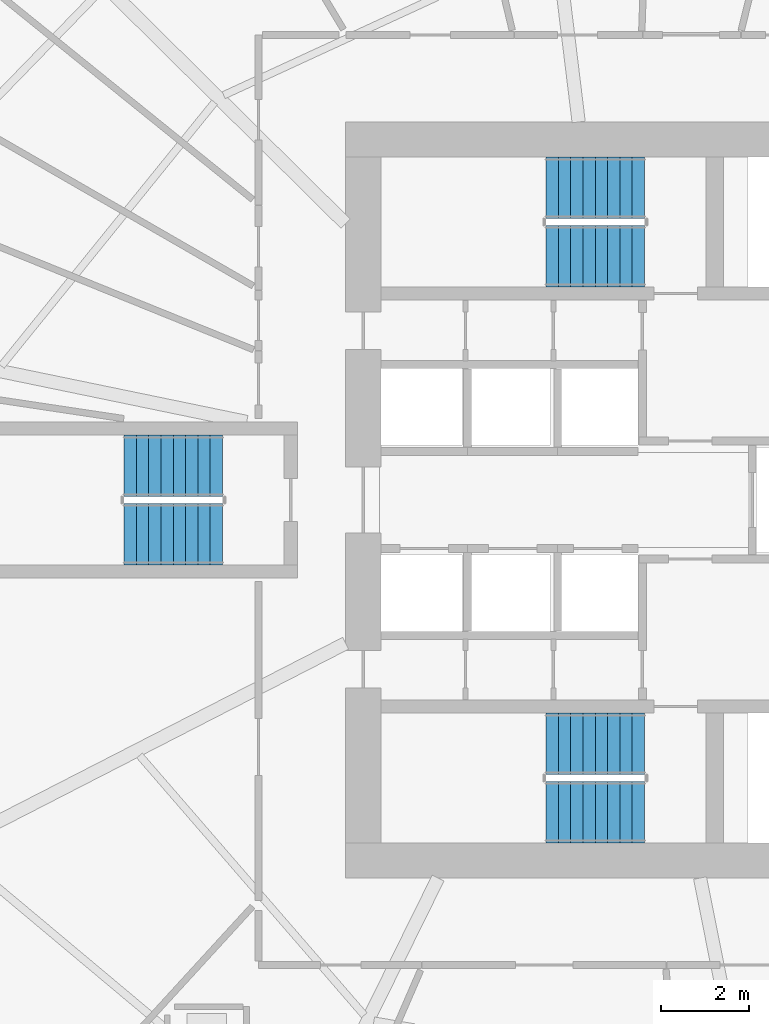
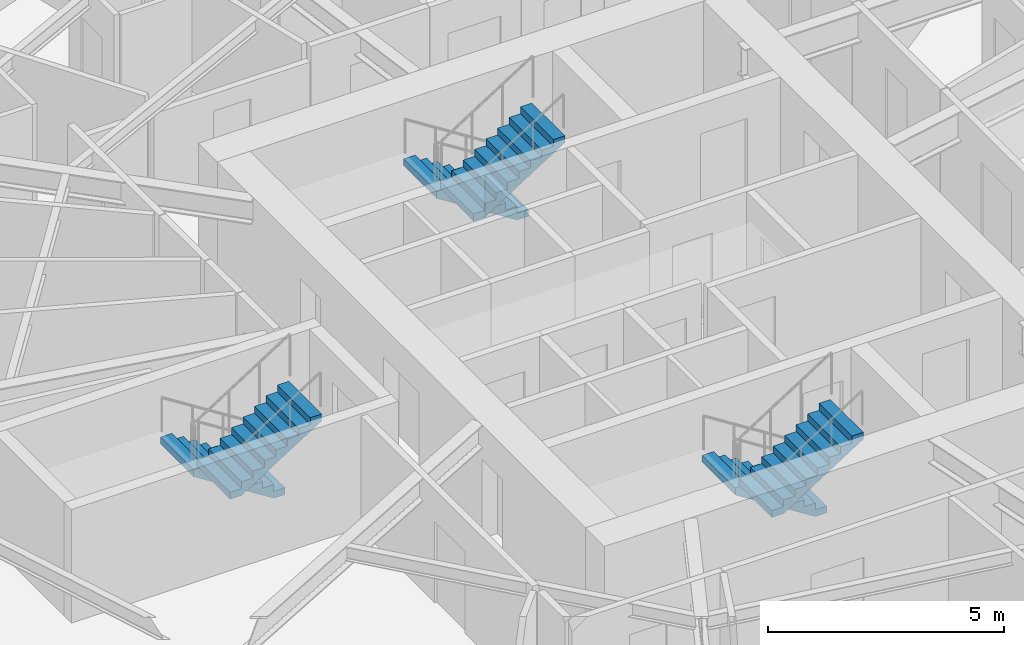
# One storey, part 11 of 16: 6 stair flights, 3 elements without a shape of their own.
"""IFC4 building model written with IfcOpenShell, lengths in metres."""

from ifc_helpers import new_model, si_unit, direction, frame, origin, place, context, subcontext, project, spatial, polyline, outline, extrude, source, transform, mapped, material, type_object, element, aggregate, save


model = new_model("IFC4")

# Units and contexts
model_context = context("Model", 3, precision=1e-05, world=origin(), true_north=direction((0.0, 1.0)))
body_context = subcontext(model_context, "Body", "Model", "MODEL_VIEW")
ifc_project = project(units=[si_unit("LENGTHUNIT", "METRE"), si_unit("AREAUNIT", "SQUARE_METRE"), si_unit("VOLUMEUNIT", "CUBIC_METRE"), si_unit("PLANEANGLEUNIT", "RADIAN"), si_unit("MASSUNIT", "GRAM", prefix="KILO")], contexts=[model_context])

# Site, building, storey
site_placement = place(None, origin())
site = spatial("IfcSite", under=ifc_project, at=site_placement, CompositionType="ELEMENT")
building_placement = place(site_placement, origin())
building = spatial("IfcBuilding", under=site, at=building_placement, Name="Qafzar Sky-Pleat Residences", CompositionType="ELEMENT")
storey_placement = place(building_placement, frame((0.0, 0.0, 30.199951171875)))
storey = spatial("IfcBuildingStorey", under=building, at=storey_placement, Name="L08", CompositionType="ELEMENT", Elevation=30.199951171875)

# Stair, stair flights
ifc_material = material(Name="Concrete C40/50", Category="concrete")
stair_type = type_object("IfcStairType", Name="STAIR-H320", PredefinedType="HALF_TURN_STAIR", material=ifc_material)
stair_1_placement = place(storey_placement, origin())
stair_1 = element("IfcStair", 1, at=stair_1_placement, inside=storey, type_object=stair_type, Name="L08 Protected Exit Stair ST1", PredefinedType="HALF_TURN_STAIR")
stair_flight_type = type_object("IfcStairFlightType", Name="FLIGHT-H320", PredefinedType="STRAIGHT", material=ifc_material)
shared_shape = source(origin(), body_context, "Body", "SweptSolid", [
    extrude(outline(polyline([(0.0, 0.0), (0.0, 0.177734375), (0.280029296875, 0.177734375), (0.280029296875, 0.35546875), (0.56005859375, 0.35546875), (0.56005859375, 0.533447265625), (0.840087890625, 0.533447265625), (0.840087890625, 0.711181640625), (1.1201171875, 0.711181640625), (1.1201171875, 0.888916015625), (1.39990234375, 0.888916015625), (1.39990234375, 1.066650390625), (1.679931640625, 1.066650390625), (1.679931640625, 1.244384765625), (1.9599609375, 1.244384765625), (1.9599609375, 1.422119140625), (2.239990234375, 1.422119140625), (2.239990234375, 1.60009765625), (2.239990234375, 1.24462890625), (0.27978515625, 0.0), (0.0, 0.0)])), frame((0.0, 0.699951171875, 0.0), z_axis=(0.0, -1.0, 0.0), x_axis=(1.0, 0.0, 0.0)), (0.0, 0.0, 1.0), 1.39990234375),
])
stair_flight_1_placement = place(storey_placement, frame((30.800048828125, 20.449951171875, 0.0), z_axis=(0.0, 0.0, 1.0), x_axis=(-1.0, 0.0, 0.0)))
stair_flight_1 = element("IfcStairFlight", 2, at=stair_flight_1_placement, type_object=stair_flight_type, Name="ST1 flight 1", NumberOfRisers=9, NumberOfTreads=8, PredefinedType="STRAIGHT", RiserHeight=0.177777778, TreadLength=0.28, context=body_context, shape_type="MappedRepresentation", body=[
    mapped(shared_shape, transform((0.0, 0.0, 0.0), x_axis=(1.0, 0.0, 0.0), y_axis=(0.0, 1.0, 0.0), z_axis=(0.0, 0.0, 1.0), scale=1.0)),
])
stair_flight_2_placement = place(storey_placement, frame((28.56005859375, 18.89990234375, 1.60009765625), z_axis=(0.0, 0.0, 1.0), x_axis=(1.0, 0.0, 0.0)))
stair_flight_2 = element("IfcStairFlight", 3, at=stair_flight_2_placement, type_object=stair_flight_type, Name="ST1 flight 2", NumberOfRisers=9, NumberOfTreads=8, PredefinedType="STRAIGHT", RiserHeight=0.177777778, TreadLength=0.28, context=body_context, shape_type="MappedRepresentation", body=[
    mapped(shared_shape, transform((0.0, 0.0, 0.0), x_axis=(1.0, 0.0, 0.0), y_axis=(0.0, 1.0, 0.0), z_axis=(0.0, 0.0, 1.0), scale=1.0)),
])
aggregate(stair_1, [stair_flight_1, stair_flight_2])

stair_2_placement = place(storey_placement, origin())
stair_2 = element("IfcStair", 4, at=stair_2_placement, inside=storey, type_object=stair_type, Name="L08 Protected Exit Stair ST2", PredefinedType="HALF_TURN_STAIR")
stair_flight_3_placement = place(storey_placement, frame((30.800048828125, 33.10009765625, 0.0), z_axis=(0.0, 0.0, 1.0), x_axis=(-1.0, 0.0, 0.0)))
stair_flight_3 = element("IfcStairFlight", 5, at=stair_flight_3_placement, type_object=stair_flight_type, Name="ST2 flight 1", NumberOfRisers=9, NumberOfTreads=8, PredefinedType="STRAIGHT", RiserHeight=0.177777778, TreadLength=0.28, context=body_context, shape_type="MappedRepresentation", body=[
    mapped(shared_shape, transform((0.0, 0.0, 0.0), x_axis=(1.0, 0.0, 0.0), y_axis=(0.0, 1.0, 0.0), z_axis=(0.0, 0.0, 1.0), scale=1.0)),
])
stair_flight_4_placement = place(storey_placement, frame((28.56005859375, 31.550048828125, 1.60009765625), z_axis=(0.0, 0.0, 1.0), x_axis=(1.0, 0.0, 0.0)))
stair_flight_4 = element("IfcStairFlight", 6, at=stair_flight_4_placement, type_object=stair_flight_type, Name="ST2 flight 2", NumberOfRisers=9, NumberOfTreads=8, PredefinedType="STRAIGHT", RiserHeight=0.177777778, TreadLength=0.28, context=body_context, shape_type="MappedRepresentation", body=[
    mapped(shared_shape, transform((0.0, 0.0, 0.0), x_axis=(1.0, 0.0, 0.0), y_axis=(0.0, 1.0, 0.0), z_axis=(0.0, 0.0, 1.0), scale=1.0)),
])
aggregate(stair_2, [stair_flight_3, stair_flight_4])

stair_3_placement = place(storey_placement, origin())
stair_3 = element("IfcStair", 7, at=stair_3_placement, inside=storey, type_object=stair_type, Name="L08 Protected Exit Stair ST3", PredefinedType="HALF_TURN_STAIR")
stair_flight_5_placement = place(storey_placement, frame((21.199951171875, 26.77490234375, 0.0), z_axis=(0.0, 0.0, 1.0), x_axis=(-1.0, 0.0, 0.0)))
stair_flight_5 = element("IfcStairFlight", 8, at=stair_flight_5_placement, type_object=stair_flight_type, Name="ST3 flight 1", NumberOfRisers=9, NumberOfTreads=8, PredefinedType="STRAIGHT", RiserHeight=0.177777778, TreadLength=0.28, context=body_context, shape_type="MappedRepresentation", body=[
    mapped(shared_shape, transform((0.0, 0.0, 0.0), x_axis=(1.0, 0.0, 0.0), y_axis=(0.0, 1.0, 0.0), z_axis=(0.0, 0.0, 1.0), scale=1.0)),
])
stair_flight_6_placement = place(storey_placement, frame((18.9599609375, 25.22509765625, 1.60009765625), z_axis=(0.0, 0.0, 1.0), x_axis=(1.0, 0.0, 0.0)))
stair_flight_6 = element("IfcStairFlight", 9, at=stair_flight_6_placement, type_object=stair_flight_type, Name="ST3 flight 2", NumberOfRisers=9, NumberOfTreads=8, PredefinedType="STRAIGHT", RiserHeight=0.177777778, TreadLength=0.28, context=body_context, shape_type="MappedRepresentation", body=[
    mapped(shared_shape, transform((0.0, 0.0, 0.0), x_axis=(1.0, 0.0, 0.0), y_axis=(0.0, 1.0, 0.0), z_axis=(0.0, 0.0, 1.0), scale=1.0)),
])
aggregate(stair_3, [stair_flight_5, stair_flight_6])

save(model, "model.ifc")
